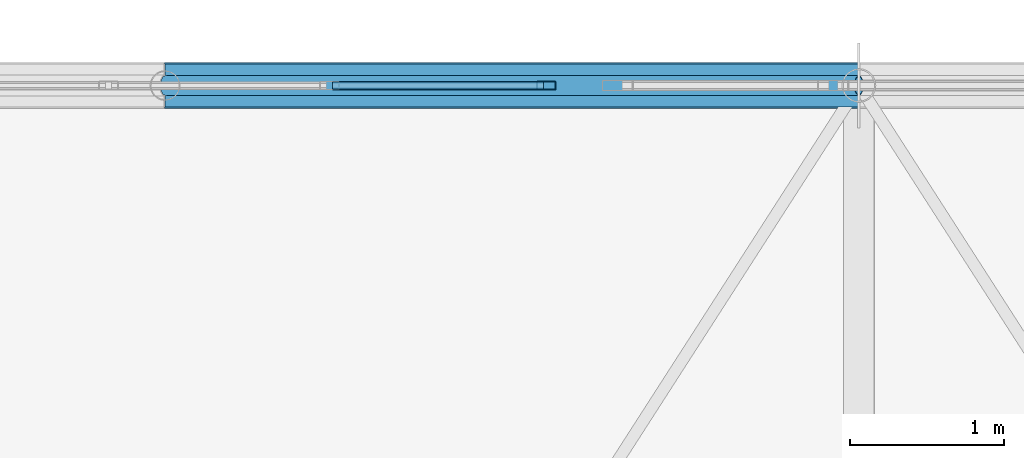
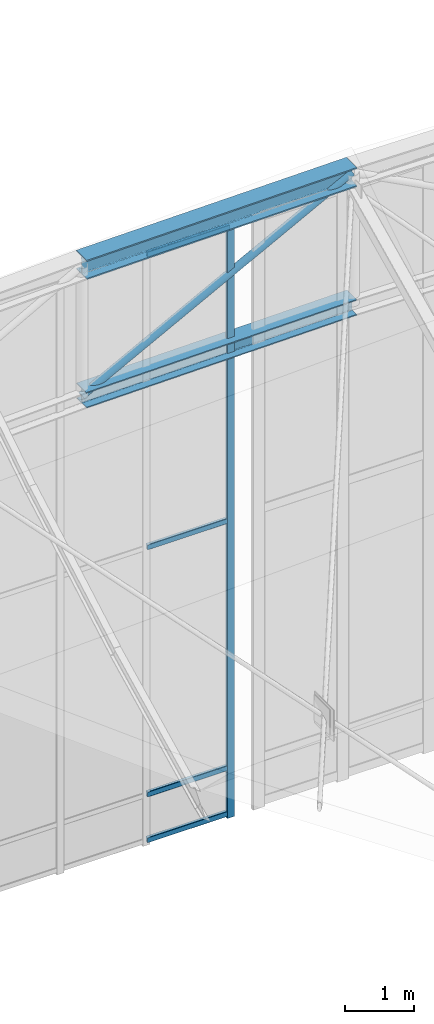
# One storey, part 210 of 262: 8 members, 1 element without a shape of its own.
"""IFC4 building model written with IfcOpenShell, lengths in metres."""

from ifc_helpers import new_model, si_unit, derived_unit, direction, frame, origin, origin_2d, place, context, subcontext, project, spatial, hollow_rectangle, hollow_circle, i_section, extrude, material, layer, layer_set, material_profile, profile_set, type_object, element, aggregate, save


model = new_model("IFC4")

# Units and contexts
model_context = context("Model", 3, precision=1e-05, world=origin(), true_north=direction((0.0, 1.0)))
body_context = subcontext(model_context, "Body", "Model", "MODEL_VIEW")
ifc_project = project(units=[si_unit("LENGTHUNIT", "METRE"), si_unit("AREAUNIT", "SQUARE_METRE"), si_unit("VOLUMEUNIT", "CUBIC_METRE"), si_unit("PLANEANGLEUNIT", "RADIAN"), si_unit("MASSUNIT", "GRAM", prefix="KILO"), derived_unit("THERMALTRANSMITTANCEUNIT", [(si_unit("POWERUNIT", "WATT"), 1), (si_unit("LENGTHUNIT", "METRE"), -2), (si_unit("THERMODYNAMICTEMPERATUREUNIT", "KELVIN"), -1)])], contexts=[model_context])

# Site, building, storey
site_placement = place(None, origin())
site = spatial("IfcSite", under=ifc_project, at=site_placement, CompositionType="ELEMENT")
building_placement = place(site_placement, origin())
building = spatial("IfcBuilding", under=site, at=building_placement, Name="Almenara Railside Exhibition Hall", CompositionType="ELEMENT")
storey_placement = place(building_placement, frame((0.0, 0.0, 21.699951171875)))
storey = spatial("IfcBuildingStorey", under=building, at=storey_placement, Name="RF", CompositionType="ELEMENT", Elevation=21.699951171875)

# Members
ifc_material_1 = material(Name="Structural steel S355JR", Category="steel")
ifc_material_profile_1 = material_profile(ifc_material_1, i_section(OverallWidth=0.280029296875, OverallDepth=0.280029296875, WebThickness=0.010498046875, FlangeThickness=0.01806640625, FilletRadius=0.02392578125, at=origin_2d()), Name="HEB 280")
ifc_profile_set_1 = profile_set([ifc_material_profile_1], Name="Structural steel S355JR")
member_type_1 = type_object("IfcMemberType", Name="Arched Gable Bottom Chord HEB 280 S355JR", PredefinedType="CHORD", material=ifc_profile_set_1)
member_1_placement = place(storey_placement, frame((160.5, 132.0, 1.538818359375), z_axis=(0.999907293085, 0.0, 0.01361635908), x_axis=(0.0, 1.0, 0.0)))
element("IfcMember", 1, at=member_1_placement, inside=storey, type_object=member_type_1, Name="MEM-BC-V2-07-05", PredefinedType="CHORD", context=body_context, shape_type="SweptSolid", body=[
    extrude(i_section(OverallWidth=0.280029296875, OverallDepth=0.280029296875, WebThickness=0.010498046875, FlangeThickness=0.01806640625, FilletRadius=0.02392578125, at=origin_2d()), origin(), (0.0, 0.0, 1.0), 4.50048828125),
])
ifc_material_profile_2 = material_profile(ifc_material_1, i_section(OverallWidth=0.300048828125, OverallDepth=0.340087890625, WebThickness=0.011962890625, FlangeThickness=0.021484375, FilletRadius=0.027099609375, at=origin_2d()), Name="HEB 340")
ifc_profile_set_2 = profile_set([ifc_material_profile_2], Name="Structural steel S355JR")
member_type_2 = type_object("IfcMemberType", Name="Arched Gable Top Chord HEB 340 S355JR", PredefinedType="CHORD", material=ifc_profile_set_2)
member_2_placement = place(storey_placement, frame((160.5, 132.0, 3.8388671875), z_axis=(0.999907293085, 0.0, 0.01361635908), x_axis=(0.0, 1.0, 0.0)))
element("IfcMember", 2, at=member_2_placement, inside=storey, type_object=member_type_2, Name="MEM-TC-V2-07-05", PredefinedType="CHORD", context=body_context, shape_type="SweptSolid", body=[
    extrude(i_section(OverallWidth=0.300048828125, OverallDepth=0.340087890625, WebThickness=0.011962890625, FlangeThickness=0.021484375, FilletRadius=0.027099609375, at=origin_2d()), origin(), (0.0, 0.0, 1.0), 4.50048828125),
])

# Curtain wall, members
ifc_material_2 = material(Name="Bronze-anodised aluminium and low-E double glazing", Category="aluminium")
ifc_layer = layer(ifc_material_2, 0.179931640625, Name="Bronze-anodised aluminium and low-E double glazing")
ifc_layer_set = layer_set([ifc_layer], Name="Bronze-anodised aluminium and low-E double glazing")
curtain_wall_type = type_object("IfcCurtainWallType", Name="Scroll Gable Tall Curtain Wall 3800x5400", PredefinedType="NOTDEFINED", material=ifc_layer_set)
curtain_wall_placement = place(storey_placement, origin())
curtain_wall = element("IfcCurtainWall", 3, at=curtain_wall_placement, inside=storey, type_object=curtain_wall_type, Name="Curtain wall CW-G1-227", PredefinedType="NOTDEFINED")
ifc_material_3 = material(Name="Bronze-anodised aluminium", Category="aluminium")
ifc_material_profile_3 = material_profile(ifc_material_3, hollow_rectangle(XDim=0.054931640625, YDim=0.125, WallThickness=0.0029296875, InnerFilletRadius=0.0029296875, OuterFilletRadius=0.006103515625, at=origin_2d()), Name="ALU-MUL 55x125x3")
ifc_profile_set_3 = profile_set([ifc_material_profile_3], Name="Bronze-anodised aluminium")
member_type_3 = type_object("IfcMemberType", Name="Curtain Wall Mullion 55x125x3", PredefinedType="MULLION", material=ifc_profile_set_3)
member_3_placement = place(storey_placement, frame((162.972412109375, 132.0, -6.73486328125), z_axis=(0.0, 0.0, 1.0), x_axis=(0.0, 1.0, 0.0)))
member_3 = element("IfcMember", 4, at=member_3_placement, type_object=member_type_3, Name="CW-G1-227 mullion 4", PredefinedType="MULLION", context=body_context, shape_type="SweptSolid", body=[
    extrude(hollow_rectangle(XDim=0.054931640625, YDim=0.125, WallThickness=0.0029296875, InnerFilletRadius=0.0029296875, OuterFilletRadius=0.006103515625, at=origin_2d()), origin(), (0.0, 0.0, 1.0), 10.434814453125),
])
ifc_material_profile_4 = material_profile(ifc_material_3, hollow_rectangle(XDim=0.054931640625, YDim=0.090087890625, WallThickness=0.0029296875, InnerFilletRadius=0.0029296875, OuterFilletRadius=0.006103515625, at=origin_2d()), Name="ALU-TRN 55x90x3")
ifc_profile_set_4 = profile_set([ifc_material_profile_4], Name="Bronze-anodised aluminium")
member_type_4 = type_object("IfcMemberType", Name="Curtain Wall Transom 55x90x3", PredefinedType="USERDEFINED", material=ifc_profile_set_4)
member_4_placement = place(storey_placement, frame((161.586181640625, 132.0, -6.655029296875), z_axis=(1.0, 0.0, 0.0), x_axis=(0.0, 1.0, 0.0)))
member_4 = element("IfcMember", 5, at=member_4_placement, type_object=member_type_4, Name="CW-G1-227 transom 3.1", ObjectType="TRANSOM", PredefinedType="USERDEFINED", context=body_context, shape_type="SweptSolid", body=[
    extrude(hollow_rectangle(XDim=0.054931640625, YDim=0.090087890625, WallThickness=0.0029296875, InnerFilletRadius=0.0029296875, OuterFilletRadius=0.006103515625, at=origin_2d()), origin(), (0.0, 0.0, 1.0), 1.36669921875),
])
member_5_placement = place(storey_placement, frame((161.586181640625, 132.0, -5.849853515625), z_axis=(1.0, 0.0, 0.0), x_axis=(0.0, 1.0, 0.0)))
member_5 = element("IfcMember", 6, at=member_5_placement, type_object=member_type_4, Name="CW-G1-227 transom 3.2", ObjectType="TRANSOM", PredefinedType="USERDEFINED", context=body_context, shape_type="SweptSolid", body=[
    extrude(hollow_rectangle(XDim=0.054931640625, YDim=0.090087890625, WallThickness=0.0029296875, InnerFilletRadius=0.0029296875, OuterFilletRadius=0.006103515625, at=origin_2d()), origin(), (0.0, 0.0, 1.0), 1.36669921875),
])
member_6_placement = place(storey_placement, frame((161.586181640625, 132.0, -1.5), z_axis=(1.0, 0.0, 0.0), x_axis=(0.0, 1.0, 0.0)))
member_6 = element("IfcMember", 7, at=member_6_placement, type_object=member_type_4, Name="CW-G1-227 transom 3.3", ObjectType="TRANSOM", PredefinedType="USERDEFINED", context=body_context, shape_type="SweptSolid", body=[
    extrude(hollow_rectangle(XDim=0.054931640625, YDim=0.090087890625, WallThickness=0.0029296875, InnerFilletRadius=0.0029296875, OuterFilletRadius=0.006103515625, at=origin_2d()), origin(), (0.0, 0.0, 1.0), 1.36669921875),
])
member_7_placement = place(storey_placement, frame((161.586181640625, 132.0, 3.655029296875), z_axis=(1.0, 0.0, 0.0), x_axis=(0.0, 1.0, 0.0)))
member_7 = element("IfcMember", 8, at=member_7_placement, type_object=member_type_4, Name="CW-G1-227 transom 3.4", ObjectType="TRANSOM", PredefinedType="USERDEFINED", context=body_context, shape_type="SweptSolid", body=[
    extrude(hollow_rectangle(XDim=0.054931640625, YDim=0.090087890625, WallThickness=0.0029296875, InnerFilletRadius=0.0029296875, OuterFilletRadius=0.006103515625, at=origin_2d()), origin(), (0.0, 0.0, 1.0), 1.36669921875),
])
aggregate(curtain_wall, [member_3, member_4, member_5, member_6, member_7])

# Member
ifc_material_profile_5 = material_profile(ifc_material_1, hollow_circle(Radius=0.0634765625, WallThickness=0.00439453125, at=origin_2d()), Name="CHS 127.0x4.5")
ifc_profile_set_5 = profile_set([ifc_material_profile_5], Name="Structural steel S355JR")
member_type_5 = type_object("IfcMemberType", Name="Truss Crown Diagonal CHS 127.0x4.5 S355JR", PredefinedType="BRACE", material=ifc_profile_set_5)
member_8_placement = place(storey_placement, frame((160.5, 132.0, 1.538818359375), z_axis=(0.885492789601, 0.0, 0.46465311746), x_axis=(0.0, 1.0, 0.0)))
element("IfcMember", 9, at=member_8_placement, inside=storey, type_object=member_type_5, Name="MEM-TD-V2-07-05", PredefinedType="BRACE", context=body_context, shape_type="SweptSolid", body=[
    extrude(hollow_circle(Radius=0.0634765625, WallThickness=0.00439453125, at=origin_2d()), origin(), (0.0, 0.0, 1.0), 5.08203125),
])

save(model, "model.ifc")
